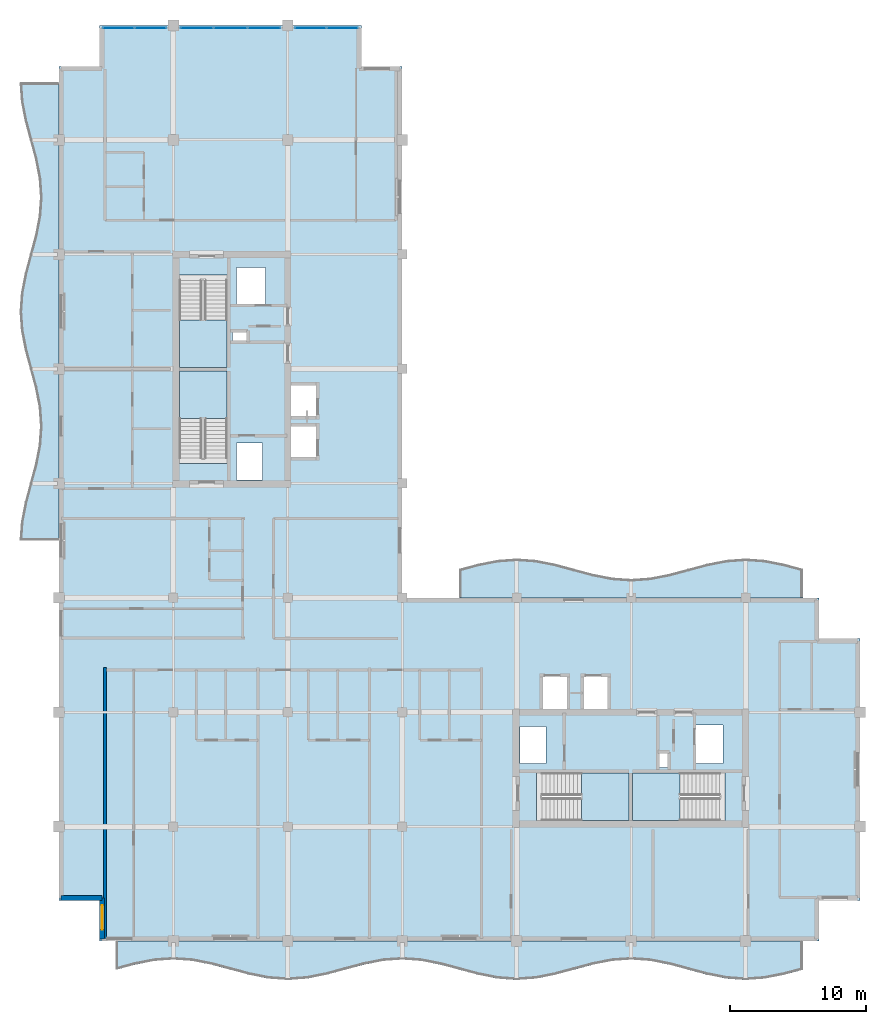
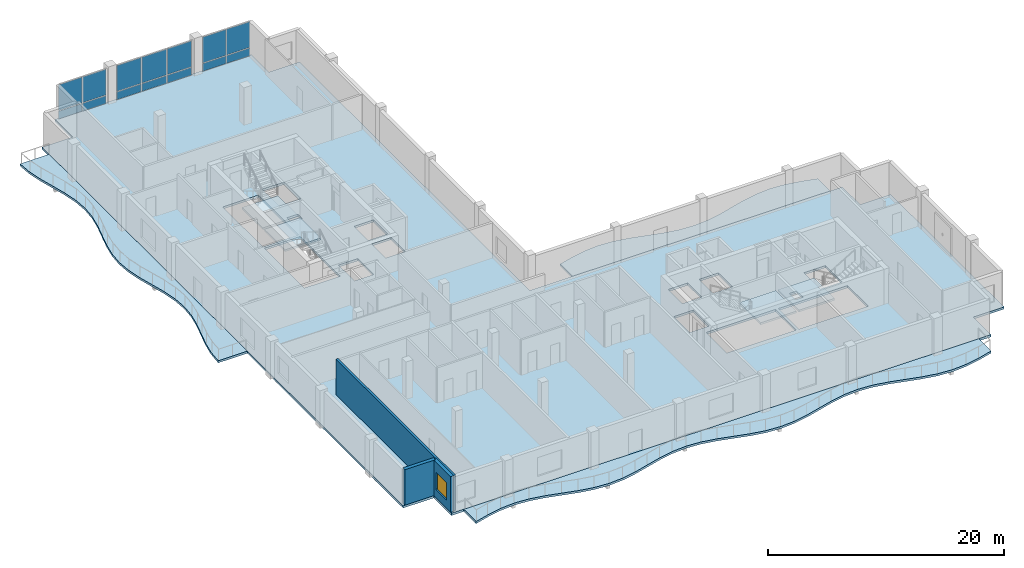
# One storey, part 5 of 17: 14 plates, 8 slabs, 3 walls, 1 window, 1 opening, 7 elements without a shape of their own.
"""IFC4 building model written with IfcOpenShell, lengths in metres."""

from ifc_helpers import new_model, si_unit, direction, frame, frame_2d, origin, origin_2d, place, context, subcontext, project, spatial, polyline, rectangle, outline, extrude, material, layer, layer_set, type_object, element, fill, aggregate, save


model = new_model("IFC4")

# Units and contexts
model_context = context("Model", 3, precision=1e-05, world=origin(), true_north=direction((0.0, 1.0)))
body_context = subcontext(model_context, "Body", "Model", "MODEL_VIEW")
ifc_project = project(units=[si_unit("LENGTHUNIT", "METRE"), si_unit("AREAUNIT", "SQUARE_METRE"), si_unit("VOLUMEUNIT", "CUBIC_METRE"), si_unit("PLANEANGLEUNIT", "RADIAN"), si_unit("MASSUNIT", "GRAM", prefix="KILO")], contexts=[model_context])

# Site, building, storey
site_placement = place(None, origin())
site = spatial("IfcSite", under=ifc_project, at=site_placement, CompositionType="ELEMENT")
building_placement = place(site_placement, origin())
building = spatial("IfcBuilding", under=site, at=building_placement, Name="Koriwani Terraces Tower", CompositionType="ELEMENT")
storey_placement = place(building_placement, frame((0.0, 0.0, 316.39990234375)))
storey = spatial("IfcBuildingStorey", under=building, at=storey_placement, Name="L78", CompositionType="ELEMENT", Elevation=316.39990234375)

# Curtain wall, plates
ifc_material_1 = material(Name="Anodised Bronze Aluminium", Category="aluminium")
ifc_layer_1 = layer(ifc_material_1, 0.18994140625, Name="Anodised Bronze Aluminium")
ifc_layer_set_1 = layer_set([ifc_layer_1], Name="Anodised Bronze Aluminium")
curtain_wall_type = type_object("IfcCurtainWallType", Name="CW_PENTHOUSE_ZONE5", PredefinedType="NOTDEFINED", material=ifc_layer_set_1)
curtain_wall_1_placement = place(storey_placement, origin())
curtain_wall_1 = element("IfcCurtainWall", 1, at=curtain_wall_1_placement, inside=storey, type_object=curtain_wall_type, Name="L78 Unitised Curtain Wall (N_TIP) Bay 1", PredefinedType="NOTDEFINED")
ifc_material_2 = material(Name="Tempered Laminated Low-E Glass", Category="glass")
ifc_layer_2 = layer(ifc_material_2, 0.028076171875, Name="Tempered Laminated Low-E Glass")
ifc_layer_set_2 = layer_set([ifc_layer_2], Name="Tempered Laminated Low-E Glass")
plate_type = type_object("IfcPlateType", Name="CW_PANEL_VISION_28", PredefinedType="CURTAIN_PANEL", material=ifc_layer_set_2)
plate_1_placement = place(storey_placement, frame((12.784912109375, 75.425048828125, 0.06494140625), z_axis=(0.0, 0.0, 1.0), x_axis=(1.0, 0.0, 0.0)))
plate_1 = element("IfcPlate", 2, at=plate_1_placement, type_object=plate_type, Name="CW-Z5 panel 1.1", PredefinedType="CURTAIN_PANEL", context=body_context, shape_type="SweptSolid", body=[
    extrude(rectangle(XDim=2.27001953125, YDim=0.028076171875, at=origin_2d()), origin(), (0.0, 0.0, 1.0), 0.802490234375),
])
plate_2_placement = place(storey_placement, frame((12.784912109375, 75.425048828125, 0.9326171875), z_axis=(0.0, 0.0, 1.0), x_axis=(1.0, 0.0, 0.0)))
plate_2 = element("IfcPlate", 3, at=plate_2_placement, type_object=plate_type, Name="CW-Z5 panel 1.2", PredefinedType="CURTAIN_PANEL", context=body_context, shape_type="SweptSolid", body=[
    extrude(rectangle(XDim=2.27001953125, YDim=0.028076171875, at=origin_2d()), origin(), (0.0, 0.0, 1.0), 2.672607421875),
])
plate_3_placement = place(storey_placement, frame((15.1298828125, 75.425048828125, 0.06494140625), z_axis=(0.0, 0.0, 1.0), x_axis=(1.0, 0.0, 0.0)))
plate_3 = element("IfcPlate", 4, at=plate_3_placement, type_object=plate_type, Name="CW-Z5 panel 2.1", PredefinedType="CURTAIN_PANEL", context=body_context, shape_type="SweptSolid", body=[
    extrude(rectangle(XDim=2.27001953125, YDim=0.028076171875, at=origin_2d()), origin(), (0.0, 0.0, 1.0), 0.802490234375),
])
plate_4_placement = place(storey_placement, frame((15.1298828125, 75.425048828125, 0.9326171875), z_axis=(0.0, 0.0, 1.0), x_axis=(1.0, 0.0, 0.0)))
plate_4 = element("IfcPlate", 5, at=plate_4_placement, type_object=plate_type, Name="CW-Z5 panel 2.2", PredefinedType="CURTAIN_PANEL", context=body_context, shape_type="SweptSolid", body=[
    extrude(rectangle(XDim=2.27001953125, YDim=0.028076171875, at=origin_2d()), origin(), (0.0, 0.0, 1.0), 2.672607421875),
])
aggregate(curtain_wall_1, [plate_1, plate_2, plate_3, plate_4])

curtain_wall_2_placement = place(storey_placement, origin())
curtain_wall_2 = element("IfcCurtainWall", 6, at=curtain_wall_2_placement, inside=storey, type_object=curtain_wall_type, Name="L78 Unitised Curtain Wall (N_TIP) Bay 2", PredefinedType="NOTDEFINED")
plate_5_placement = place(storey_placement, frame((18.525390625, 75.425048828125, 0.06494140625), z_axis=(0.0, 0.0, 1.0), x_axis=(1.0, 0.0, 0.0)))
plate_5 = element("IfcPlate", 7, at=plate_5_placement, type_object=plate_type, Name="CW-Z5 panel 1.1", PredefinedType="CURTAIN_PANEL", context=body_context, shape_type="SweptSolid", body=[
    extrude(rectangle(XDim=2.380859375, YDim=0.028076171875, at=origin_2d()), origin(), (0.0, 0.0, 1.0), 0.802490234375),
])
plate_6_placement = place(storey_placement, frame((18.525390625, 75.425048828125, 0.9326171875), z_axis=(0.0, 0.0, 1.0), x_axis=(1.0, 0.0, 0.0)))
plate_6 = element("IfcPlate", 8, at=plate_6_placement, type_object=plate_type, Name="CW-Z5 panel 1.2", PredefinedType="CURTAIN_PANEL", context=body_context, shape_type="SweptSolid", body=[
    extrude(rectangle(XDim=2.380859375, YDim=0.028076171875, at=origin_2d()), origin(), (0.0, 0.0, 1.0), 2.672607421875),
])
plate_7_placement = place(storey_placement, frame((21.0, 75.425048828125, 0.06494140625), z_axis=(0.0, 0.0, 1.0), x_axis=(1.0, 0.0, 0.0)))
plate_7 = element("IfcPlate", 9, at=plate_7_placement, type_object=plate_type, Name="CW-Z5 panel 2.1", PredefinedType="CURTAIN_PANEL", context=body_context, shape_type="SweptSolid", body=[
    extrude(rectangle(XDim=2.418212890625, YDim=0.028076171875, at=origin_2d()), origin(), (0.0, 0.0, 1.0), 0.802490234375),
])
plate_8_placement = place(storey_placement, frame((21.0, 75.425048828125, 0.9326171875), z_axis=(0.0, 0.0, 1.0), x_axis=(1.0, 0.0, 0.0)))
plate_8 = element("IfcPlate", 10, at=plate_8_placement, type_object=plate_type, Name="CW-Z5 panel 2.2", PredefinedType="CURTAIN_PANEL", context=body_context, shape_type="SweptSolid", body=[
    extrude(rectangle(XDim=2.418212890625, YDim=0.028076171875, at=origin_2d()), origin(), (0.0, 0.0, 1.0), 2.672607421875),
])
plate_9_placement = place(storey_placement, frame((23.474609375, 75.425048828125, 0.06494140625), z_axis=(0.0, 0.0, 1.0), x_axis=(1.0, 0.0, 0.0)))
plate_9 = element("IfcPlate", 11, at=plate_9_placement, type_object=plate_type, Name="CW-Z5 panel 3.1", PredefinedType="CURTAIN_PANEL", context=body_context, shape_type="SweptSolid", body=[
    extrude(rectangle(XDim=2.380859375, YDim=0.028076171875, at=origin_2d()), origin(), (0.0, 0.0, 1.0), 0.802490234375),
])
plate_10_placement = place(storey_placement, frame((23.474609375, 75.425048828125, 0.9326171875), z_axis=(0.0, 0.0, 1.0), x_axis=(1.0, 0.0, 0.0)))
plate_10 = element("IfcPlate", 12, at=plate_10_placement, type_object=plate_type, Name="CW-Z5 panel 3.2", PredefinedType="CURTAIN_PANEL", context=body_context, shape_type="SweptSolid", body=[
    extrude(rectangle(XDim=2.380859375, YDim=0.028076171875, at=origin_2d()), origin(), (0.0, 0.0, 1.0), 2.672607421875),
])
aggregate(curtain_wall_2, [plate_5, plate_6, plate_7, plate_8, plate_9, plate_10])

curtain_wall_3_placement = place(storey_placement, origin())
curtain_wall_3 = element("IfcCurtainWall", 13, at=curtain_wall_3_placement, inside=storey, type_object=curtain_wall_type, Name="L78 Unitised Curtain Wall (N_TIP) Bay 3", PredefinedType="NOTDEFINED")
plate_11_placement = place(storey_placement, frame((26.8701171875, 75.425048828125, 0.06494140625), z_axis=(0.0, 0.0, 1.0), x_axis=(1.0, 0.0, 0.0)))
plate_11 = element("IfcPlate", 14, at=plate_11_placement, type_object=plate_type, Name="CW-Z5 panel 1.1", PredefinedType="CURTAIN_PANEL", context=body_context, shape_type="SweptSolid", body=[
    extrude(rectangle(XDim=2.27001953125, YDim=0.028076171875, at=origin_2d()), origin(), (0.0, 0.0, 1.0), 0.802490234375),
])
plate_12_placement = place(storey_placement, frame((26.8701171875, 75.425048828125, 0.9326171875), z_axis=(0.0, 0.0, 1.0), x_axis=(1.0, 0.0, 0.0)))
plate_12 = element("IfcPlate", 15, at=plate_12_placement, type_object=plate_type, Name="CW-Z5 panel 1.2", PredefinedType="CURTAIN_PANEL", context=body_context, shape_type="SweptSolid", body=[
    extrude(rectangle(XDim=2.27001953125, YDim=0.028076171875, at=origin_2d()), origin(), (0.0, 0.0, 1.0), 2.672607421875),
])
plate_13_placement = place(storey_placement, frame((29.215087890625, 75.425048828125, 0.06494140625), z_axis=(0.0, 0.0, 1.0), x_axis=(1.0, 0.0, 0.0)))
plate_13 = element("IfcPlate", 16, at=plate_13_placement, type_object=plate_type, Name="CW-Z5 panel 2.1", PredefinedType="CURTAIN_PANEL", context=body_context, shape_type="SweptSolid", body=[
    extrude(rectangle(XDim=2.27001953125, YDim=0.028076171875, at=origin_2d()), origin(), (0.0, 0.0, 1.0), 0.802490234375),
])
plate_14_placement = place(storey_placement, frame((29.215087890625, 75.425048828125, 0.9326171875), z_axis=(0.0, 0.0, 1.0), x_axis=(1.0, 0.0, 0.0)))
plate_14 = element("IfcPlate", 17, at=plate_14_placement, type_object=plate_type, Name="CW-Z5 panel 2.2", PredefinedType="CURTAIN_PANEL", context=body_context, shape_type="SweptSolid", body=[
    extrude(rectangle(XDim=2.27001953125, YDim=0.028076171875, at=origin_2d()), origin(), (0.0, 0.0, 1.0), 2.672607421875),
])
aggregate(curtain_wall_3, [plate_11, plate_12, plate_13, plate_14])

# Slabs
ifc_material_3 = material(Name="Concrete C40/50", Category="concrete")
ifc_layer_3 = layer(ifc_material_3, 0.219970703125, Name="Concrete C40/50")
ifc_layer_set_3 = layer_set([ifc_layer_3], Name="Concrete C40/50")
slab_type_1 = type_object("IfcSlabType", Name="SLAB_BALCONY_220", PredefinedType="FLOOR", material=ifc_layer_set_3)
slab_1_placement = place(storey_placement, frame((0.0, 0.0, -0.219970703125)))
element("IfcSlab", 18, at=slab_1_placement, inside=storey, type_object=slab_type_1, Name="L78 Quilted Circular-Arc Balcony (S)", PredefinedType="FLOOR", context=body_context, shape_type="SweptSolid", body=[
    extrude(outline(polyline([(12.60009765625, 8.39990234375), (14.0, 8.39990234375), (15.39990234375, 8.39990234375), (16.800048828125, 8.39990234375), (18.199951171875, 8.39990234375), (19.60009765625, 8.39990234375), (21.0, 8.39990234375), (22.39990234375, 8.39990234375), (23.800048828125, 8.39990234375), (25.199951171875, 8.39990234375), (26.60009765625, 8.39990234375), (28.0, 8.39990234375), (29.39990234375, 8.39990234375), (30.800048828125, 8.39990234375), (32.199951171875, 8.39990234375), (33.60009765625, 8.39990234375), (35.0, 8.39990234375), (36.39990234375, 8.39990234375), (37.800048828125, 8.39990234375), (39.199951171875, 8.39990234375), (40.60009765625, 8.39990234375), (42.0, 8.39990234375), (43.39990234375, 8.39990234375), (44.800048828125, 8.39990234375), (46.199951171875, 8.39990234375), (47.60009765625, 8.39990234375), (49.0, 8.39990234375), (50.39990234375, 8.39990234375), (51.800048828125, 8.39990234375), (53.199951171875, 8.39990234375), (54.60009765625, 8.39990234375), (56.0, 8.39990234375), (57.39990234375, 8.39990234375), (58.800048828125, 8.39990234375), (60.199951171875, 8.39990234375), (61.60009765625, 8.39990234375), (63.0, 8.39990234375), (63.0, 6.300048828125), (61.60009765625, 5.925048828125), (60.199951171875, 5.650390625), (58.800048828125, 5.550048828125), (57.39990234375, 5.650390625), (56.0, 5.925048828125), (54.60009765625, 6.300048828125), (53.199951171875, 6.675048828125), (51.800048828125, 6.949462890625), (50.39990234375, 7.050048828125), (49.0, 6.949462890625), (47.60009765625, 6.675048828125), (46.199951171875, 6.300048828125), (44.800048828125, 5.925048828125), (43.39990234375, 5.650390625), (42.0, 5.550048828125), (40.60009765625, 5.650390625), (39.199951171875, 5.925048828125), (37.800048828125, 6.300048828125), (36.39990234375, 6.675048828125), (35.0, 6.949462890625), (33.60009765625, 7.050048828125), (32.199951171875, 6.949462890625), (30.800048828125, 6.675048828125), (29.39990234375, 6.300048828125), (28.0, 5.925048828125), (26.60009765625, 5.650390625), (25.199951171875, 5.550048828125), (23.800048828125, 5.650390625), (22.39990234375, 5.925048828125), (21.0, 6.300048828125), (19.60009765625, 6.675048828125), (18.199951171875, 6.949462890625), (16.800048828125, 7.050048828125), (15.39990234375, 6.949462890625), (14.0, 6.675048828125), (12.60009765625, 6.300048828125), (12.60009765625, 8.39990234375)])), origin(), (0.0, 0.0, 1.0), 0.219970703125),
])
slab_2_placement = place(storey_placement, frame((0.0, 0.0, -0.219970703125)))
element("IfcSlab", 19, at=slab_2_placement, inside=storey, type_object=slab_type_1, Name="L78 Quilted Circular-Arc Balcony (W)", PredefinedType="FLOOR", context=body_context, shape_type="SweptSolid", body=[
    extrude(outline(polyline([(8.39990234375, 37.800048828125), (8.39990234375, 39.199951171875), (8.39990234375, 40.60009765625), (8.39990234375, 42.0), (8.39990234375, 43.39990234375), (8.39990234375, 44.800048828125), (8.39990234375, 46.199951171875), (8.39990234375, 47.60009765625), (8.39990234375, 49.0), (8.39990234375, 50.39990234375), (8.39990234375, 51.800048828125), (8.39990234375, 53.199951171875), (8.39990234375, 54.60009765625), (8.39990234375, 56.0), (8.39990234375, 57.39990234375), (8.39990234375, 58.800048828125), (8.39990234375, 60.199951171875), (8.39990234375, 61.60009765625), (8.39990234375, 63.0), (8.39990234375, 64.39990234375), (8.39990234375, 65.800048828125), (8.39990234375, 67.199951171875), (8.39990234375, 68.60009765625), (8.39990234375, 70.0), (8.39990234375, 71.39990234375), (5.550048828125, 71.39990234375), (5.650390625, 70.0), (5.925048828125, 68.60009765625), (6.300048828125, 67.199951171875), (6.675048828125, 65.800048828125), (6.949462890625, 64.39990234375), (7.050048828125, 63.0), (6.949462890625, 61.60009765625), (6.675048828125, 60.199951171875), (6.300048828125, 58.800048828125), (5.925048828125, 57.39990234375), (5.650390625, 56.0), (5.550048828125, 54.60009765625), (5.650390625, 53.199951171875), (5.925048828125, 51.800048828125), (6.300048828125, 50.39990234375), (6.675048828125, 49.0), (6.949462890625, 47.60009765625), (7.050048828125, 46.199951171875), (6.949462890625, 44.800048828125), (6.675048828125, 43.39990234375), (6.300048828125, 42.0), (5.925048828125, 40.60009765625), (5.650390625, 39.199951171875), (5.550048828125, 37.800048828125), (8.39990234375, 37.800048828125)])), origin(), (0.0, 0.0, 1.0), 0.219970703125),
])
slab_3_placement = place(storey_placement, frame((0.0, 0.0, -0.219970703125)))
element("IfcSlab", 20, at=slab_3_placement, inside=storey, type_object=slab_type_1, Name="L78 Quilted Circular-Arc Balcony (NE)", PredefinedType="FLOOR", context=body_context, shape_type="SweptSolid", body=[
    extrude(outline(polyline([(63.0, 33.60009765625), (61.60009765625, 33.60009765625), (60.199951171875, 33.60009765625), (58.800048828125, 33.60009765625), (57.39990234375, 33.60009765625), (56.0, 33.60009765625), (54.60009765625, 33.60009765625), (53.199951171875, 33.60009765625), (51.800048828125, 33.60009765625), (50.39990234375, 33.60009765625), (49.0, 33.60009765625), (47.60009765625, 33.60009765625), (46.199951171875, 33.60009765625), (44.800048828125, 33.60009765625), (43.39990234375, 33.60009765625), (42.0, 33.60009765625), (40.60009765625, 33.60009765625), (39.199951171875, 33.60009765625), (37.800048828125, 33.60009765625), (37.800048828125, 35.699951171875), (39.199951171875, 36.074951171875), (40.60009765625, 36.349609375), (42.0, 36.449951171875), (43.39990234375, 36.349609375), (44.800048828125, 36.074951171875), (46.199951171875, 35.699951171875), (47.60009765625, 35.324951171875), (49.0, 35.050537109375), (50.39990234375, 34.949951171875), (51.800048828125, 35.050537109375), (53.199951171875, 35.324951171875), (54.60009765625, 35.699951171875), (56.0, 36.074951171875), (57.39990234375, 36.349609375), (58.800048828125, 36.449951171875), (60.199951171875, 36.349609375), (61.60009765625, 36.074951171875), (63.0, 35.699951171875), (63.0, 33.60009765625)])), origin(), (0.0, 0.0, 1.0), 0.219970703125),
])
ifc_layer_4 = layer(ifc_material_3, 0.22998046875, Name="Concrete C40/50")
ifc_layer_set_4 = layer_set([ifc_layer_4], Name="Concrete C40/50")
slab_type_2 = type_object("IfcSlabType", Name="SLAB_RES_TYP_230", PredefinedType="FLOOR", material=ifc_layer_set_4)
slab_4_placement = place(storey_placement, frame((0.0, 0.0, -0.22998046875)))
element("IfcSlab", 21, at=slab_4_placement, inside=storey, type_object=slab_type_2, Name="L78 Structural Floor Slab", PredefinedType="FLOOR", context=body_context, shape_type="SweptSolid", body=[
    extrude(outline(polyline([(11.39990234375, 8.39990234375), (64.199951171875, 8.39990234375), (64.199951171875, 11.39990234375), (67.199951171875, 11.39990234375), (67.199951171875, 30.60009765625), (64.199951171875, 30.60009765625), (64.199951171875, 33.60009765625), (33.60009765625, 33.60009765625), (33.60009765625, 72.60009765625), (30.60009765625, 72.60009765625), (30.60009765625, 75.60009765625), (11.39990234375, 75.60009765625), (11.39990234375, 72.60009765625), (8.39990234375, 72.60009765625), (8.39990234375, 11.39990234375), (11.39990234375, 11.39990234375), (11.39990234375, 8.39990234375)]), holes=[polyline([(17.25, 43.4599609375), (20.75, 43.4599609375), (20.75, 50.25), (17.25, 50.25), (17.25, 43.4599609375)]), polyline([(17.25, 50.5), (20.75, 50.5), (20.75, 57.2900390625), (17.25, 57.2900390625), (17.25, 50.5)]), polyline([(43.4599609375, 17.25), (50.25, 17.25), (50.25, 20.75), (43.4599609375, 20.75), (43.4599609375, 17.25)]), polyline([(50.5, 17.25), (57.2900390625, 17.25), (57.2900390625, 20.75), (50.5, 20.75), (50.5, 17.25)]), polyline([(25.449951171875, 43.85009765625), (27.35009765625, 43.85009765625), (27.35009765625, 46.25), (25.449951171875, 46.25), (25.449951171875, 43.85009765625)]), polyline([(25.449951171875, 46.85009765625), (27.35009765625, 46.85009765625), (27.35009765625, 49.25), (25.449951171875, 49.25), (25.449951171875, 46.85009765625)]), polyline([(43.85009765625, 25.449951171875), (45.75, 25.449951171875), (45.75, 27.85009765625), (43.85009765625, 27.85009765625), (43.85009765625, 25.449951171875)]), polyline([(46.85009765625, 25.449951171875), (48.75, 25.449951171875), (48.75, 27.85009765625), (46.85009765625, 27.85009765625), (46.85009765625, 25.449951171875)]), polyline([(21.449951171875, 55.050048828125), (23.550048828125, 55.050048828125), (23.550048828125, 57.85009765625), (21.449951171875, 57.85009765625), (21.449951171875, 55.050048828125)]), polyline([(55.050048828125, 21.449951171875), (57.14990234375, 21.449951171875), (57.14990234375, 24.25), (55.050048828125, 24.25), (55.050048828125, 21.449951171875)]), polyline([(21.449951171875, 42.25), (23.35009765625, 42.25), (23.35009765625, 44.949951171875), (21.449951171875, 44.949951171875), (21.449951171875, 42.25)]), polyline([(42.25, 21.449951171875), (44.14990234375, 21.449951171875), (44.14990234375, 24.14990234375), (42.25, 24.14990234375), (42.25, 21.449951171875)]), polyline([(21.14990234375, 52.419921875), (22.219970703125, 52.419921875), (22.219970703125, 53.179931640625), (21.14990234375, 53.179931640625), (21.14990234375, 52.419921875)]), polyline([(52.419921875, 21.14990234375), (53.179931640625, 21.14990234375), (53.179931640625, 22.219970703125), (52.419921875, 22.219970703125), (52.419921875, 21.14990234375)])]), origin(), (0.0, 0.0, 1.0), 0.22998046875),
])

# Stair, slab
stair_type = type_object("IfcStairType", Name="STAIR_CORE_DOGLEG_1650", PredefinedType="TWO_STRAIGHT_RUN_STAIR", material=ifc_material_3)
stair_1_placement = place(storey_placement, origin())
stair_1 = element("IfcStair", 22, at=stair_1_placement, inside=storey, type_object=stair_type, Name="L78 West Core Exit Stair 1", PredefinedType="HALF_TURN_STAIR")
ifc_layer_5 = layer(ifc_material_3, 0.199951171875, Name="Concrete C40/50")
ifc_layer_set_5 = layer_set([ifc_layer_5], Name="Concrete C40/50")
slab_type_3 = type_object("IfcSlabType", Name="SLAB_STAIR_LANDING_200", PredefinedType="LANDING", material=ifc_layer_set_5)
slab_5_placement = place(storey_placement, frame((0.0, 0.0, 1.75)))
slab_5 = element("IfcSlab", 23, at=slab_5_placement, type_object=slab_type_3, Name="ST-W1 landing 1", PredefinedType="LANDING", context=body_context, shape_type="SweptSolid", body=[
    extrude(outline(polyline([(20.75, 46.75), (20.75, 50.25), (17.25, 50.25), (17.25, 46.75), (20.75, 46.75)])), origin(), (0.0, 0.0, 1.0), 0.2001953125),
])
aggregate(stair_1, [slab_5])

stair_2_placement = place(storey_placement, origin())
stair_2 = element("IfcStair", 24, at=stair_2_placement, inside=storey, type_object=stair_type, Name="L78 West Core Exit Stair 2", PredefinedType="HALF_TURN_STAIR")
slab_6_placement = place(storey_placement, frame((0.0, 0.0, 1.75)))
slab_6 = element("IfcSlab", 25, at=slab_6_placement, type_object=slab_type_3, Name="ST-W2 landing 1", PredefinedType="LANDING", context=body_context, shape_type="SweptSolid", body=[
    extrude(outline(polyline([(17.25, 54.0), (17.25, 50.5), (20.75, 50.5), (20.75, 54.0), (17.25, 54.0)])), origin(), (0.0, 0.0, 1.0), 0.2001953125),
])
aggregate(stair_2, [slab_6])

stair_3_placement = place(storey_placement, origin())
stair_3 = element("IfcStair", 26, at=stair_3_placement, inside=storey, type_object=stair_type, Name="L78 East Core Exit Stair 1", PredefinedType="HALF_TURN_STAIR")
slab_7_placement = place(storey_placement, frame((0.0, 0.0, 1.75)))
slab_7 = element("IfcSlab", 27, at=slab_7_placement, type_object=slab_type_3, Name="ST-E1 landing 1", PredefinedType="LANDING", context=body_context, shape_type="SweptSolid", body=[
    extrude(outline(polyline([(46.75, 17.25), (50.25, 17.25), (50.25, 20.75), (46.75, 20.75), (46.75, 17.25)])), origin(), (0.0, 0.0, 1.0), 0.2001953125),
])
aggregate(stair_3, [slab_7])

stair_4_placement = place(storey_placement, origin())
stair_4 = element("IfcStair", 28, at=stair_4_placement, inside=storey, type_object=stair_type, Name="L78 East Core Exit Stair 2", PredefinedType="HALF_TURN_STAIR")
slab_8_placement = place(storey_placement, frame((0.0, 0.0, 1.75)))
slab_8 = element("IfcSlab", 29, at=slab_8_placement, type_object=slab_type_3, Name="ST-E2 landing 1", PredefinedType="LANDING", context=body_context, shape_type="SweptSolid", body=[
    extrude(outline(polyline([(54.0, 20.75), (50.5, 20.75), (50.5, 17.25), (54.0, 17.25), (54.0, 20.75)])), origin(), (0.0, 0.0, 1.0), 0.2001953125),
])
aggregate(stair_4, [slab_8])

# Wall
ifc_material_4 = material(Name="Autoclaved Cellular Concrete Blockwork", Category="masonry")
ifc_layer_6 = layer(ifc_material_4, 0.219970703125, Name="Autoclaved Cellular Concrete Blockwork")
ifc_layer_set_6 = layer_set([ifc_layer_6], Name="Autoclaved Cellular Concrete Blockwork")
wall_type_1 = type_object("IfcWallType", Name="WALL_DEMISING_220", PredefinedType="PARTITIONING", material=ifc_layer_set_6)
wall_1_placement = place(storey_placement, frame((11.800048828125, 8.60009765625, 0.0), z_axis=(0.0, 0.0, 1.0), x_axis=(0.0, 1.0, 0.0)))
element("IfcWall", 30, at=wall_1_placement, inside=storey, type_object=wall_type_1, Name="L78 Interior Wall WRDEM-L78-SW-0", PredefinedType="PARTITIONING", context=body_context, shape_type="SweptSolid", body=[
    extrude(rectangle(XDim=19.8798828125, YDim=0.219970703125, at=frame_2d((9.93994140625, 0.0))), origin(), (0.0, 0.0, 1.0), 3.670166015625),
])

# Wall, opening, window
ifc_material_5 = material(Name="Concrete C50/60", Category="concrete")
ifc_layer_7 = layer(ifc_material_5, 0.35009765625, Name="Concrete C50/60")
ifc_layer_set_7 = layer_set([ifc_layer_7], Name="Concrete C50/60")
wall_type_2 = type_object("IfcWallType", Name="WALL_EXT_BRUTALIST_350", PredefinedType="STANDARD", material=ifc_layer_set_7)
wall_2_placement = place(storey_placement, frame((11.574951171875, 8.574951171875, 0.0), z_axis=(0.0, 0.0, 1.0), x_axis=(0.0, 1.0, 0.0)))
wall_2 = element("IfcWall", 31, at=wall_2_placement, inside=storey, type_object=wall_type_2, Name="L78 Fair-Faced Brutalist Exterior Wall (N0)", PredefinedType="STANDARD", context=body_context, shape_type="SweptSolid", body=[
    extrude(rectangle(XDim=3.0, YDim=0.35009765625, at=frame_2d((1.5, 0.0))), origin(), (0.0, 0.0, 1.0), 3.670166015625),
])
opening_placement = place(wall_2_placement, frame((0.677490234375, 0.0, 0.85009765625)))
opening = element("IfcOpeningElement", 32, at=opening_placement, cuts=wall_2, Name="Opening W-04", PredefinedType="OPENING", context=body_context, shape_type="SweptSolid", body=[
    extrude(rectangle(XDim=1.800048828125, YDim=1.800048828125, at=frame_2d((0.89990234375, 0.89990234375))), frame((0.0, 0.18505859375, 0.0), z_axis=(0.0, -1.0, 0.0), x_axis=(1.0, 0.0, 0.0)), (0.0, 0.0, 1.0), 0.3701171875),
])
window_type = type_object("IfcWindowType", Name="WIN_RES_BED_1800X1800", PartitioningType="DOUBLE_PANEL_VERTICAL", PredefinedType="WINDOW", material=ifc_material_2)
window_placement = place(opening_placement, origin())
window = element("IfcWindow", 33, at=window_placement, inside=storey, type_object=window_type, Name="L78 Exterior Window (N0-R32)", OverallHeight=1.800048828125, OverallWidth=1.800048828125, PartitioningType="SINGLE_PANEL", PredefinedType="WINDOW", context=body_context, shape_type="SweptSolid", body=[
    extrude(rectangle(XDim=1.800048828125, YDim=1.800048828125, at=frame_2d((0.89990234375, 0.89990234375))), frame((0.0, 0.030029296875, 0.0), z_axis=(0.0, -1.0, 0.0), x_axis=(1.0, 0.0, 0.0)), (0.0, 0.0, 1.0), 0.06005859375),
])
fill(opening, window)

# Wall
wall_3_placement = place(storey_placement, frame((11.574951171875, 11.574951171875, 0.0), z_axis=(0.0, 0.0, 1.0), x_axis=(-1.0, 0.0, 0.0)))
element("IfcWall", 34, at=wall_3_placement, inside=storey, type_object=wall_type_2, Name="L78 Fair-Faced Brutalist Exterior Wall (N1)", PredefinedType="STANDARD", context=body_context, shape_type="SweptSolid", body=[
    extrude(rectangle(XDim=3.0, YDim=0.35009765625, at=frame_2d((1.5, 0.0))), origin(), (0.0, 0.0, 1.0), 3.670166015625),
])

save(model, "model.ifc")
